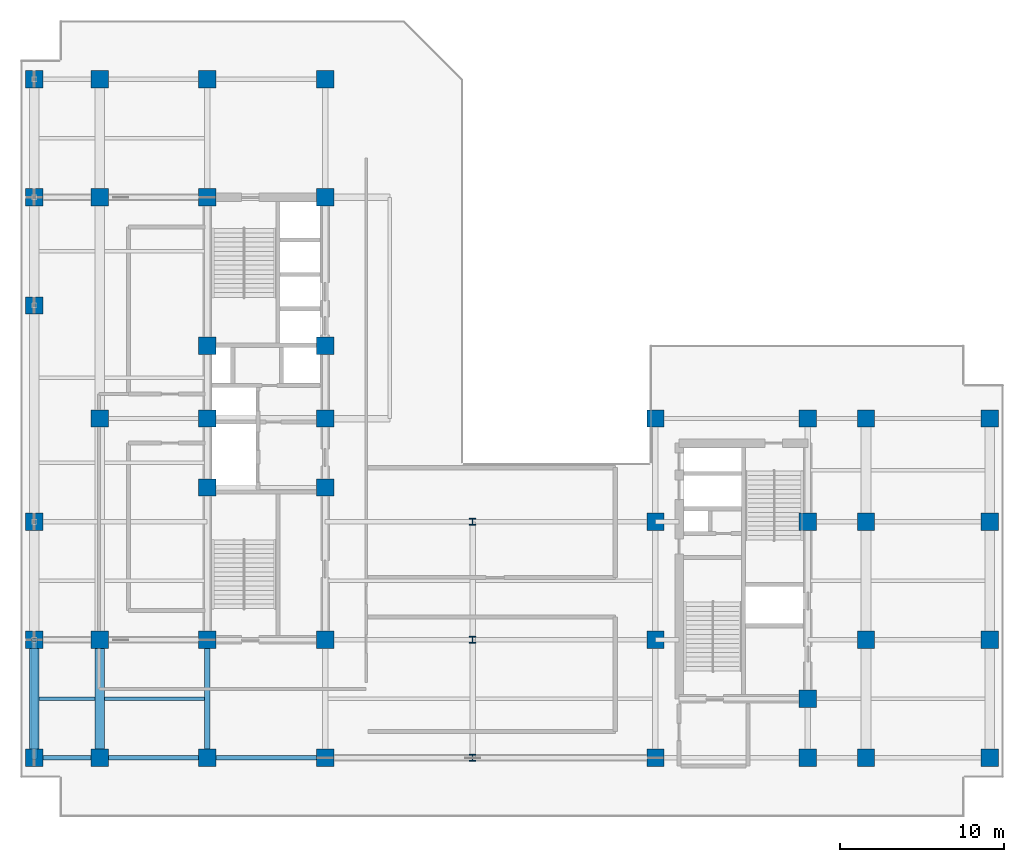
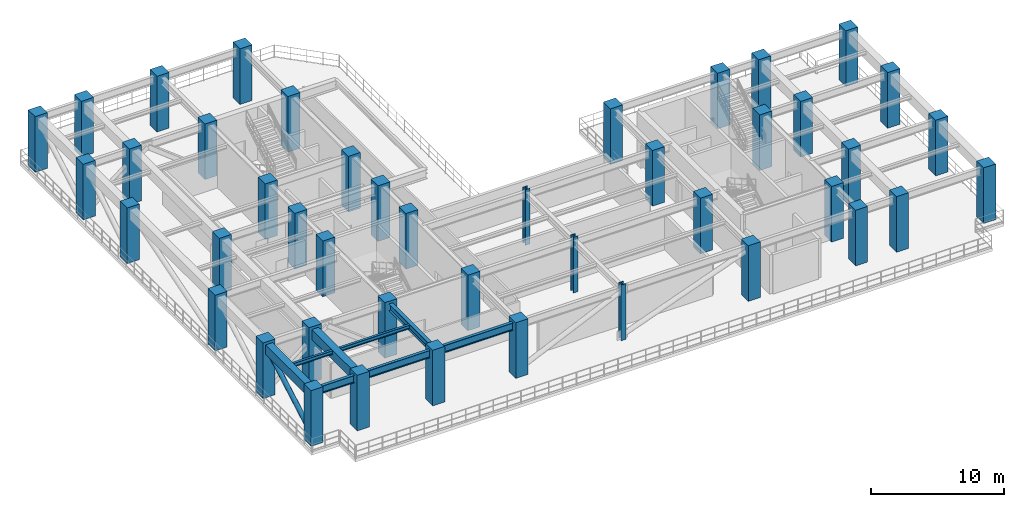
# One storey, part 1 of 16: 44 columns, 8 beams, 1 member.
"""IFC4 building model written with IfcOpenShell, lengths in metres."""

from ifc_helpers import new_model, entity, si_unit, converted_unit, direction, frame, origin_with_axes, origin_2d_with_axis, place, context, subcontext, project, spatial, rectangle, hollow_circle, i_section, extrude, material, material_profile, profile_set, type_object, element, save


model = new_model("IFC4")

# Units and contexts
model_context = context("Model", 3, precision=1e-05, world=origin_with_axes(), true_north=direction((0.0, 1.0)))
body_context = subcontext(model_context, "Body", "Model", "MODEL_VIEW")
ifc_project = project(units=[si_unit("LENGTHUNIT", "METRE"), si_unit("AREAUNIT", "SQUARE_METRE"), si_unit("VOLUMEUNIT", "CUBIC_METRE"), converted_unit("PLANEANGLEUNIT", "DEGREE", entity("IfcPlaneAngleMeasure", 0.017453292519943295), si_unit("PLANEANGLEUNIT", "RADIAN"), dimensions=[0, 0, 0, 0, 0, 0, 0]), si_unit("MASSUNIT", "GRAM", prefix="KILO"), si_unit("THERMODYNAMICTEMPERATUREUNIT", "KELVIN")], contexts=[model_context])

# Site, building, storey
site_placement = place(None, origin_with_axes())
site = spatial("IfcSite", under=ifc_project, at=site_placement, CompositionType="ELEMENT")
building_placement = place(site_placement, origin_with_axes())
building = spatial("IfcBuilding", under=site, at=building_placement, Name="Varnlund Millrace Tower", CompositionType="ELEMENT")
storey_placement = place(building_placement, frame((0.0, 0.0, 187.5), z_axis=(0.0, 0.0, 1.0), x_axis=(1.0, 0.0, 0.0)))
storey = spatial("IfcBuildingStorey", under=building, at=storey_placement, Name="L46", CompositionType="ELEMENT", Elevation=187.5)

# Columns
ifc_material_1 = material(Name="Steel ASTM A913 Grade 65", Category="steel")
ifc_material_profile_1 = material_profile(ifc_material_1, i_section(OverallWidth=0.406, OverallDepth=0.416, WebThickness=0.0298, FlangeThickness=0.048, FilletRadius=0.022, at=origin_2d_with_axis()), Name="Steel ASTM A913 Grade 65")
ifc_profile_set_1 = profile_set([ifc_material_profile_1], Name="Steel ASTM A913 Grade 65")
column_type_1 = type_object("IfcColumnType", Name="Type-Col-Int-W14X257", PredefinedType="COLUMN", material=ifc_profile_set_1)
for number, where, z_axis, x_axis, name in (
    (1, (27.6, 3.6, 0.0), (0.0, 0.0, 1.0), (1.0, 0.0, 0.0), "Type-Col-Int-W14X257"),
    (2, (27.6, 10.8, 0.0), (0.0, 0.0, 1.0), (1.0, 0.0, 0.0), "Type-Col-Int-W14X257"),
    (3, (27.6, 18.0, 0.0), (0.0, 0.0, 1.0), (1.0, 0.0, 0.0), "Type-Col-Int-W14X257"),
):
    element("IfcColumn", number, at=place(storey_placement, frame(where, z_axis=z_axis, x_axis=x_axis)), inside=storey, type_object=column_type_1, Name=name, PredefinedType="COLUMN", context=body_context, shape_type="SweptSolid", body=[
        extrude(i_section(OverallWidth=0.406, OverallDepth=0.416, WebThickness=0.0298, FlangeThickness=0.048, FilletRadius=0.022, at=origin_2d_with_axis()), origin_with_axes(), (0.0, 0.0, 1.0), 5.1),
    ])
ifc_material_2 = material(Name="Concrete C70/85", Category="concrete")
ifc_material_profile_2 = material_profile(ifc_material_2, rectangle(XDim=1.05, YDim=1.05, at=origin_2d_with_axis()), Name="Concrete C70/85")
ifc_profile_set_2 = profile_set([ifc_material_profile_2], Name="Concrete C70/85")
column_type_2 = type_object("IfcColumnType", Name="Type-Col-RC1050-C70", PredefinedType="COLUMN", material=ifc_profile_set_2)
for number, where, z_axis, x_axis, name in (
    (4, (11.4, 3.6, 0.0), (0.0, 0.0, 1.0), (1.0, 0.0, 0.0), "Type-Col-RC1050-C70"),
    (5, (11.4, 10.8, 0.0), (0.0, 0.0, 1.0), (1.0, 0.0, 0.0), "Type-Col-RC1050-C70"),
    (6, (11.4, 20.1, 0.0), (0.0, 0.0, 1.0), (1.0, 0.0, 0.0), "Type-Col-RC1050-C70"),
    (7, (11.4, 24.3, 0.0), (0.0, 0.0, 1.0), (1.0, 0.0, 0.0), "Type-Col-RC1050-C70"),
    (8, (11.4, 28.75, 0.0), (0.0, 0.0, 1.0), (1.0, 0.0, 0.0), "Type-Col-RC1050-C70"),
    (9, (11.4, 37.8, 0.0), (0.0, 0.0, 1.0), (1.0, 0.0, 0.0), "Type-Col-RC1050-C70"),
    (10, (11.4, 45.0, 0.0), (0.0, 0.0, 1.0), (1.0, 0.0, 0.0), "Type-Col-RC1050-C70"),
    (11, (18.6, 3.6, 0.0), (0.0, 0.0, 1.0), (1.0, 0.0, 0.0), "Type-Col-RC1050-C70"),
    (12, (18.6, 10.8, 0.0), (0.0, 0.0, 1.0), (1.0, 0.0, 0.0), "Type-Col-RC1050-C70"),
    (13, (18.6, 20.1, 0.0), (0.0, 0.0, 1.0), (1.0, 0.0, 0.0), "Type-Col-RC1050-C70"),
    (14, (18.6, 24.3, 0.0), (0.0, 0.0, 1.0), (1.0, 0.0, 0.0), "Type-Col-RC1050-C70"),
    (15, (18.6, 28.75, 0.0), (0.0, 0.0, 1.0), (1.0, 0.0, 0.0), "Type-Col-RC1050-C70"),
    (16, (18.6, 37.8, 0.0), (0.0, 0.0, 1.0), (1.0, 0.0, 0.0), "Type-Col-RC1050-C70"),
    (17, (18.6, 45.0, 0.0), (0.0, 0.0, 1.0), (1.0, 0.0, 0.0), "Type-Col-RC1050-C70"),
    (18, (4.85, 3.6, 0.0), (0.0, 0.0, 1.0), (1.0, 0.0, 0.0), "Type-Col-RC1050-C70"),
    (19, (4.85, 10.8, 0.0), (0.0, 0.0, 1.0), (1.0, 0.0, 0.0), "Type-Col-RC1050-C70"),
    (20, (4.85, 24.3, 0.0), (0.0, 0.0, 1.0), (1.0, 0.0, 0.0), "Type-Col-RC1050-C70"),
    (21, (4.85, 37.8, 0.0), (0.0, 0.0, 1.0), (1.0, 0.0, 0.0), "Type-Col-RC1050-C70"),
    (22, (4.85, 45.0, 0.0), (0.0, 0.0, 1.0), (1.0, 0.0, 0.0), "Type-Col-RC1050-C70"),
    (23, (0.85, 3.6, 0.0), (0.0, 0.0, 1.0), (1.0, 0.0, 0.0), "Type-Col-RC1050-C70"),
    (24, (0.85, 10.8, 0.0), (0.0, 0.0, 1.0), (1.0, 0.0, 0.0), "Type-Col-RC1050-C70"),
    (25, (0.85, 18.0, 0.0), (0.0, 0.0, 1.0), (1.0, 0.0, 0.0), "Type-Col-RC1050-C70"),
    (26, (0.85, 31.2, 0.0), (0.0, 0.0, 1.0), (1.0, 0.0, 0.0), "Type-Col-RC1050-C70"),
    (27, (0.85, 37.8, 0.0), (0.0, 0.0, 1.0), (1.0, 0.0, 0.0), "Type-Col-RC1050-C70"),
    (28, (0.85, 45.0, 0.0), (0.0, 0.0, 1.0), (1.0, 0.0, 0.0), "Type-Col-RC1050-C70"),
    (29, (38.75, 3.6, 0.0), (0.0, 0.0, 1.0), (1.0, 0.0, 0.0), "Type-Col-RC1050-C70"),
    (30, (38.75, 10.8, 0.0), (0.0, 0.0, 1.0), (1.0, 0.0, 0.0), "Type-Col-RC1050-C70"),
    (31, (38.75, 18.0, 0.0), (0.0, 0.0, 1.0), (1.0, 0.0, 0.0), "Type-Col-RC1050-C70"),
    (32, (38.75, 24.3, 0.0), (0.0, 0.0, 1.0), (1.0, 0.0, 0.0), "Type-Col-RC1050-C70"),
    (33, (48.05, 3.6, 0.0), (0.0, 0.0, 1.0), (1.0, 0.0, 0.0), "Type-Col-RC1050-C70"),
    (34, (48.05, 7.2, 0.0), (0.0, 0.0, 1.0), (1.0, 0.0, 0.0), "Type-Col-RC1050-C70"),
    (35, (48.05, 18.0, 0.0), (0.0, 0.0, 1.0), (1.0, 0.0, 0.0), "Type-Col-RC1050-C70"),
    (36, (48.05, 24.3, 0.0), (0.0, 0.0, 1.0), (1.0, 0.0, 0.0), "Type-Col-RC1050-C70"),
    (37, (51.6, 3.6, 0.0), (0.0, 0.0, 1.0), (1.0, 0.0, 0.0), "Type-Col-RC1050-C70"),
    (38, (51.6, 10.8, 0.0), (0.0, 0.0, 1.0), (1.0, 0.0, 0.0), "Type-Col-RC1050-C70"),
    (39, (51.6, 18.0, 0.0), (0.0, 0.0, 1.0), (1.0, 0.0, 0.0), "Type-Col-RC1050-C70"),
    (40, (51.6, 24.3, 0.0), (0.0, 0.0, 1.0), (1.0, 0.0, 0.0), "Type-Col-RC1050-C70"),
    (41, (59.15, 3.6, 0.0), (0.0, 0.0, 1.0), (1.0, 0.0, 0.0), "Type-Col-RC1050-C70"),
    (42, (59.15, 10.8, 0.0), (0.0, 0.0, 1.0), (1.0, 0.0, 0.0), "Type-Col-RC1050-C70"),
    (43, (59.15, 18.0, 0.0), (0.0, 0.0, 1.0), (1.0, 0.0, 0.0), "Type-Col-RC1050-C70"),
    (44, (59.15, 24.3, 0.0), (0.0, 0.0, 1.0), (1.0, 0.0, 0.0), "Type-Col-RC1050-C70"),
):
    element("IfcColumn", number, at=place(storey_placement, frame(where, z_axis=z_axis, x_axis=x_axis)), inside=storey, type_object=column_type_2, Name=name, PredefinedType="COLUMN", context=body_context, shape_type="SweptSolid", body=[
        extrude(rectangle(XDim=1.05, YDim=1.05, at=origin_2d_with_axis()), origin_with_axes(), (0.0, 0.0, 1.0), 5.1),
    ])

# Member
ifc_material_3 = material(Name="Steel ASTM A500 Grade C", Category="steel")
ifc_material_profile_3 = material_profile(ifc_material_3, hollow_circle(Radius=0.203, WallThickness=0.0147, at=origin_2d_with_axis()), Name="Steel ASTM A500 Grade C")
ifc_profile_set_3 = profile_set([ifc_material_profile_3], Name="Steel ASTM A500 Grade C")
member_type = type_object("IfcMemberType", Name="Type-Belt-Brace-CHS406", PredefinedType="BRACE", material=ifc_profile_set_3)
member_placement = place(storey_placement, frame((0.85, 3.6, 0.35), z_axis=(0.0, 0.868985, 0.494839), x_axis=(-1.0, 0.0, 0.0)))
element("IfcMember", 45, at=member_placement, inside=storey, type_object=member_type, Name="Type-Belt-Brace-CHS406", PredefinedType="BRACE", context=body_context, shape_type="SweptSolid", body=[
    extrude(hollow_circle(Radius=0.203, WallThickness=0.0147, at=origin_2d_with_axis()), origin_with_axes(), (0.0, 0.0, 1.0), 8.28553),
])

# Beams
ifc_material_4 = material(Name="Steel ASTM A992 Grade 50", Category="steel")
ifc_material_profile_4 = material_profile(ifc_material_4, i_section(OverallWidth=0.328, OverallDepth=0.628, WebThickness=0.0165, FlangeThickness=0.0277, FilletRadius=0.018, at=origin_2d_with_axis()), Name="Steel ASTM A992 Grade 50")
ifc_profile_set_4 = profile_set([ifc_material_profile_4], Name="Steel ASTM A992 Grade 50")
beam_type_1 = type_object("IfcBeamType", Name="Type-Girder-W24X146", PredefinedType="USERDEFINED", material=ifc_profile_set_4)
beam_1_placement = place(storey_placement, frame((11.4, 3.6, 4.546), z_axis=(0.0, 1.0, 0.0), x_axis=(-1.0, 0.0, 0.0)))
element("IfcBeam", 46, at=beam_1_placement, inside=storey, type_object=beam_type_1, Name="Type-Girder-W24X146", ObjectType="GIRDER", PredefinedType="USERDEFINED", context=body_context, shape_type="SweptSolid", body=[
    extrude(i_section(OverallWidth=0.328, OverallDepth=0.628, WebThickness=0.0165, FlangeThickness=0.0277, FilletRadius=0.018, at=origin_2d_with_axis()), origin_with_axes(), (0.0, 0.0, 1.0), 7.2),
])
ifc_material_profile_5 = material_profile(ifc_material_4, i_section(OverallWidth=0.256, OverallDepth=0.693, WebThickness=0.0145, FlangeThickness=0.0236, FilletRadius=0.018, at=origin_2d_with_axis()), Name="Steel ASTM A992 Grade 50")
ifc_profile_set_5 = profile_set([ifc_material_profile_5], Name="Steel ASTM A992 Grade 50")
beam_type_2 = type_object("IfcBeamType", Name="Type-Girder-W27X114", PredefinedType="USERDEFINED", material=ifc_profile_set_5)
beam_2_placement = place(storey_placement, frame((0.85, 3.6, 4.5135), z_axis=(1.0, 0.0, 0.0), x_axis=(0.0, 1.0, 0.0)))
element("IfcBeam", 47, at=beam_2_placement, inside=storey, type_object=beam_type_2, Name="Type-Girder-W27X114", ObjectType="GIRDER", PredefinedType="USERDEFINED", context=body_context, shape_type="SweptSolid", body=[
    extrude(i_section(OverallWidth=0.256, OverallDepth=0.693, WebThickness=0.0145, FlangeThickness=0.0236, FilletRadius=0.018, at=origin_2d_with_axis()), origin_with_axes(), (0.0, 0.0, 1.0), 4.0),
])
beam_3_placement = place(storey_placement, frame((4.85, 3.6, 4.5135), z_axis=(1.0, 0.0, 0.0), x_axis=(0.0, 1.0, 0.0)))
element("IfcBeam", 48, at=beam_3_placement, inside=storey, type_object=beam_type_2, Name="Type-Girder-W27X114", ObjectType="GIRDER", PredefinedType="USERDEFINED", context=body_context, shape_type="SweptSolid", body=[
    extrude(i_section(OverallWidth=0.256, OverallDepth=0.693, WebThickness=0.0145, FlangeThickness=0.0236, FilletRadius=0.018, at=origin_2d_with_axis()), origin_with_axes(), (0.0, 0.0, 1.0), 6.55),
])
beam_4_placement = place(storey_placement, frame((11.4, 3.6, 4.5135), z_axis=(1.0, 0.0, 0.0), x_axis=(0.0, 1.0, 0.0)))
element("IfcBeam", 49, at=beam_4_placement, inside=storey, type_object=beam_type_2, Name="Type-Girder-W27X114", ObjectType="GIRDER", PredefinedType="USERDEFINED", context=body_context, shape_type="SweptSolid", body=[
    extrude(i_section(OverallWidth=0.256, OverallDepth=0.693, WebThickness=0.0145, FlangeThickness=0.0236, FilletRadius=0.018, at=origin_2d_with_axis()), origin_with_axes(), (0.0, 0.0, 1.0), 7.2),
])
ifc_material_profile_6 = material_profile(ifc_material_4, i_section(OverallWidth=0.204, OverallDepth=0.35, WebThickness=0.0086, FlangeThickness=0.0151, FilletRadius=0.013, at=origin_2d_with_axis()), Name="Steel ASTM A992 Grade 50")
ifc_profile_set_6 = profile_set([ifc_material_profile_6], Name="Steel ASTM A992 Grade 50")
beam_type_3 = type_object("IfcBeamType", Name="Type-Joist-W14X48", PredefinedType="JOIST", material=ifc_profile_set_6)
beam_5_placement = place(storey_placement, frame((1.15, 7.2, 4.685), z_axis=(1.0, 0.0, 0.0), x_axis=(0.0, 1.0, 0.0)))
element("IfcBeam", 50, at=beam_5_placement, inside=storey, type_object=beam_type_3, Name="Type-Joist-W14X48", PredefinedType="JOIST", context=body_context, shape_type="SweptSolid", body=[
    extrude(i_section(OverallWidth=0.204, OverallDepth=0.35, WebThickness=0.0086, FlangeThickness=0.0151, FilletRadius=0.013, at=origin_2d_with_axis()), origin_with_axes(), (0.0, 0.0, 1.0), 3.4),
])
beam_6_placement = place(storey_placement, frame((5.15, 7.2, 4.685), z_axis=(1.0, 0.0, 0.0), x_axis=(0.0, 1.0, 0.0)))
element("IfcBeam", 51, at=beam_6_placement, inside=storey, type_object=beam_type_3, Name="Type-Joist-W14X48", PredefinedType="JOIST", context=body_context, shape_type="SweptSolid", body=[
    extrude(i_section(OverallWidth=0.204, OverallDepth=0.35, WebThickness=0.0086, FlangeThickness=0.0151, FilletRadius=0.013, at=origin_2d_with_axis()), origin_with_axes(), (0.0, 0.0, 1.0), 6.086),
])
ifc_material_profile_7 = material_profile(ifc_material_2, rectangle(XDim=0.6, YDim=0.9, at=origin_2d_with_axis()), Name="Concrete C70/85")
ifc_profile_set_7 = profile_set([ifc_material_profile_7], Name="Concrete C70/85")
beam_type_4 = type_object("IfcBeamType", Name="Type-Spandrel-RC600X900", PredefinedType="SPANDREL", material=ifc_profile_set_7)
for number, where, z_axis, x_axis, name in (
    (52, (0.85, 3.6, 4.41), (0.0, 1.0, 0.0), (-1.0, 0.0, 0.0), "Type-Spandrel-RC600X900"),
    (53, (4.85, 3.6, 4.41), (0.0, 1.0, 0.0), (-1.0, 0.0, 0.0), "Type-Spandrel-RC600X900"),
):
    element("IfcBeam", number, at=place(storey_placement, frame(where, z_axis=z_axis, x_axis=x_axis)), inside=storey, type_object=beam_type_4, Name=name, PredefinedType="SPANDREL", context=body_context, shape_type="SweptSolid", body=[
        extrude(rectangle(XDim=0.6, YDim=0.9, at=origin_2d_with_axis()), origin_with_axes(), (0.0, 0.0, 1.0), 7.2),
    ])

save(model, "model.ifc")
